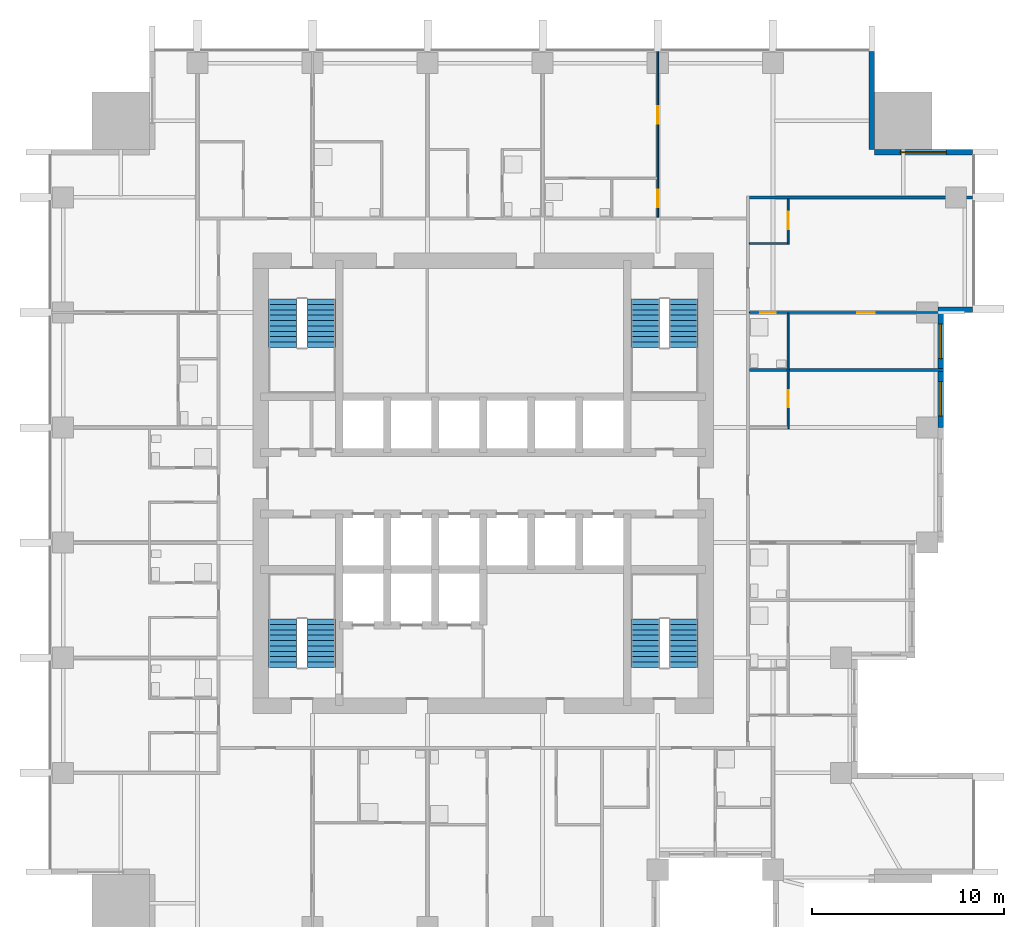
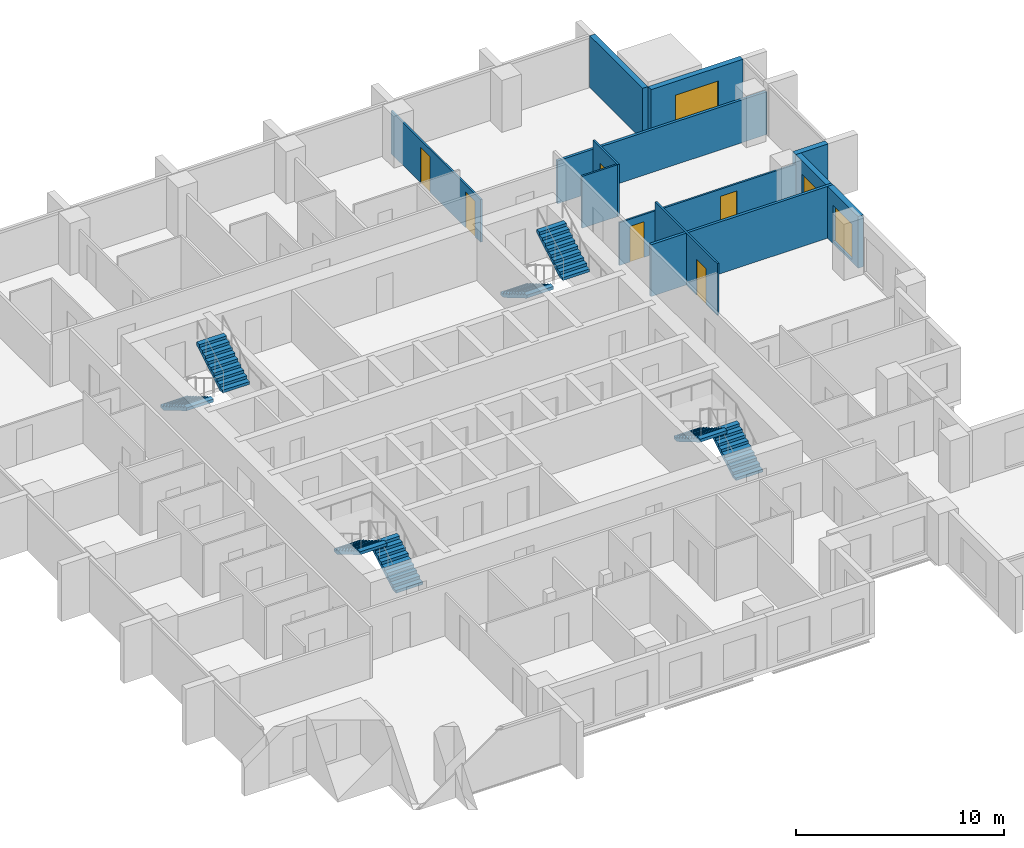
# One storey, part 8 of 10: 11 walls, 8 stair flights, 6 doors, 3 windows, 9 openings, 4 elements without a shape of their own.
"""IFC4 building model written with IfcOpenShell, lengths in metres."""

from ifc_helpers import new_model, si_unit, direction, frame, frame_2d, origin, place, context, subcontext, project, spatial, polyline, rectangle, outline, extrude, material, layer, layer_set, type_object, element, fill, aggregate, save


model = new_model("IFC4")

# Units and contexts
model_context = context("Model", 3, precision=1e-05, world=origin(), true_north=direction((0.0, 1.0)))
body_context = subcontext(model_context, "Body", "Model", "MODEL_VIEW")
ifc_project = project(units=[si_unit("LENGTHUNIT", "METRE"), si_unit("AREAUNIT", "SQUARE_METRE"), si_unit("VOLUMEUNIT", "CUBIC_METRE"), si_unit("PLANEANGLEUNIT", "RADIAN"), si_unit("MASSUNIT", "GRAM", prefix="KILO")], contexts=[model_context])

# Site, building, storey
site_placement = place(None, origin())
site = spatial("IfcSite", under=ifc_project, at=site_placement, CompositionType="ELEMENT")
building_placement = place(site_placement, origin())
building = spatial("IfcBuilding", under=site, at=building_placement, Name="Amberfall Residences", CompositionType="ELEMENT")
storey_placement = place(building_placement, frame((0.0, 0.0, 105.10009765625)))
storey = spatial("IfcBuildingStorey", under=building, at=storey_placement, Name="L28", CompositionType="ELEMENT", Elevation=105.10009765625)

# Wall
ifc_material_1 = material(Name="Pale stone cladding on insulated backing", Category="masonry")
ifc_layer_1 = layer(ifc_material_1, 0.300048828125)
ifc_layer_set_1 = layer_set([ifc_layer_1], Name="Bronze clad wall 300")
wall_type_1 = type_object("IfcWallType", Name="Bronze clad wall 300", PredefinedType="SOLIDWALL", material=ifc_layer_set_1)
wall_1_placement = place(storey_placement, frame((98.199951171875, 54.550048828125, 0.0), z_axis=(0.0, 0.0, 1.0), x_axis=(1.0, 0.0, 0.0)))
element("IfcWall", 1, at=wall_1_placement, inside=storey, type_object=wall_type_1, Name="External wall L28 E", PredefinedType="SOLIDWALL", context=body_context, shape_type="SweptSolid", body=[
    extrude(rectangle(XDim=1.800048828125, YDim=0.300048828125, at=frame_2d((0.89990234375, 0.0))), origin(), (0.0, 0.0, 1.0), 3.0498046875),
])

# Wall, opening, window
wall_2_placement = place(storey_placement, frame((100.0, 62.75, 0.0), z_axis=(0.0, 0.0, 1.0), x_axis=(-1.0, 0.0, 0.0)))
wall_2 = element("IfcWall", 2, at=wall_2_placement, inside=storey, type_object=wall_type_1, Name="External wall L28 NE", PredefinedType="SOLIDWALL", context=body_context, shape_type="SweptSolid", body=[
    extrude(rectangle(XDim=5.10009765625, YDim=0.300048828125, at=frame_2d((2.550048828125, 0.0))), origin(), (0.0, 0.0, 1.0), 3.0498046875),
])
opening_1_placement = place(wall_2_placement, frame((1.35009765625, 0.0, 0.14990234375)))
opening_1 = element("IfcOpeningElement", 3, at=opening_1_placement, cuts=wall_2, Name="Opening WN5", PredefinedType="OPENING", context=body_context, shape_type="SweptSolid", body=[
    extrude(rectangle(XDim=2.39990234375, YDim=2.10009765625, at=frame_2d((1.199951171875, 1.050048828125))), frame((0.0, 0.159912109375, 0.0), z_axis=(0.0, -1.0, 0.0), x_axis=(1.0, 0.0, 0.0)), (0.0, 0.0, 1.0), 0.320068359375),
])
ifc_material_2 = material(Name="Bronze aluminium framed glazing", Category="aluminium")
window_type_1 = type_object("IfcWindowType", Name="Glazed opening 2400 x 2100 bronze", PartitioningType="DOUBLE_PANEL_VERTICAL", PredefinedType="WINDOW", material=ifc_material_2)
window_1_placement = place(opening_1_placement, origin())
window_1 = element("IfcWindow", 4, at=window_1_placement, inside=storey, type_object=window_type_1, Name="Window L28 NE", OverallHeight=2.10009765625, OverallWidth=2.39990234375, PartitioningType="DOUBLE_PANEL_VERTICAL", PredefinedType="WINDOW", context=body_context, shape_type="SweptSolid", body=[
    extrude(rectangle(XDim=2.39990234375, YDim=2.10009765625, at=frame_2d((1.199951171875, 1.050048828125))), frame((0.0, 0.030029296875, 0.0), z_axis=(0.0, -1.0, 0.0), x_axis=(1.0, 0.0, 0.0)), (0.0, 0.0, 1.0), 0.06005859375),
])
fill(opening_1, window_1)

# Wall
wall_3_placement = place(storey_placement, frame((94.75, 62.89990234375, 0.0), z_axis=(0.0, 0.0, 1.0), x_axis=(0.0, 1.0, 0.0)))
element("IfcWall", 5, at=wall_3_placement, inside=storey, type_object=wall_type_1, Name="External wall L28 NE", PredefinedType="SOLIDWALL", context=body_context, shape_type="SweptSolid", body=[
    extrude(rectangle(XDim=5.10009765625, YDim=0.300048828125, at=frame_2d((2.550048828125, 0.0))), origin(), (0.0, 0.0, 1.0), 3.0498046875),
])

# Wall, openings, windows
wall_4_placement = place(storey_placement, frame((98.35009765625, 48.39990234375, 0.0), z_axis=(0.0, 0.0, 1.0), x_axis=(0.0, 1.0, 0.0)))
wall_4 = element("IfcWall", 6, at=wall_4_placement, inside=storey, type_object=wall_type_1, Name="Stone wall L28 E", PredefinedType="SOLIDWALL", context=body_context, shape_type="SweptSolid", body=[
    extrude(rectangle(XDim=6.0, YDim=0.300048828125, at=frame_2d((3.0, 0.0))), origin(), (0.0, 0.0, 1.0), 3.0498046875),
])
opening_2_placement = place(wall_4_placement, frame((0.60009765625, 0.0, 0.14990234375)))
opening_2 = element("IfcOpeningElement", 7, at=opening_2_placement, cuts=wall_4, Name="Opening WN6", PredefinedType="OPENING", context=body_context, shape_type="SweptSolid", body=[
    extrude(rectangle(XDim=1.800048828125, YDim=2.10009765625, at=frame_2d((0.89990234375, 1.050048828125))), frame((0.0, 0.159912109375, 0.0), z_axis=(0.0, -1.0, 0.0), x_axis=(1.0, 0.0, 0.0)), (0.0, 0.0, 1.0), 0.320068359375),
])
opening_3_placement = place(wall_4_placement, frame((3.60009765625, 0.0, 0.14990234375)))
opening_3 = element("IfcOpeningElement", 8, at=opening_3_placement, cuts=wall_4, Name="Opening WN6", PredefinedType="OPENING", context=body_context, shape_type="SweptSolid", body=[
    extrude(rectangle(XDim=1.800048828125, YDim=2.10009765625, at=frame_2d((0.89990234375, 1.050048828125))), frame((0.0, 0.159912109375, 0.0), z_axis=(0.0, -1.0, 0.0), x_axis=(1.0, 0.0, 0.0)), (0.0, 0.0, 1.0), 0.320068359375),
])
window_type_2 = type_object("IfcWindowType", Name="Glazed opening 1800 x 2100 bronze", PartitioningType="DOUBLE_PANEL_VERTICAL", PredefinedType="WINDOW", material=ifc_material_2)
window_2_placement = place(opening_2_placement, origin())
window_2 = element("IfcWindow", 9, at=window_2_placement, inside=storey, type_object=window_type_2, Name="Window L28 E", OverallHeight=2.10009765625, OverallWidth=1.800048828125, PartitioningType="DOUBLE_PANEL_VERTICAL", PredefinedType="WINDOW", context=body_context, shape_type="SweptSolid", body=[
    extrude(rectangle(XDim=1.800048828125, YDim=2.10009765625, at=frame_2d((0.89990234375, 1.050048828125))), frame((0.0, 0.030029296875, 0.0), z_axis=(0.0, -1.0, 0.0), x_axis=(1.0, 0.0, 0.0)), (0.0, 0.0, 1.0), 0.06005859375),
])
fill(opening_2, window_2)
window_3_placement = place(opening_3_placement, origin())
window_3 = element("IfcWindow", 10, at=window_3_placement, inside=storey, type_object=window_type_2, Name="Window L28 E", OverallHeight=2.10009765625, OverallWidth=1.800048828125, PartitioningType="DOUBLE_PANEL_VERTICAL", PredefinedType="WINDOW", context=body_context, shape_type="SweptSolid", body=[
    extrude(rectangle(XDim=1.800048828125, YDim=2.10009765625, at=frame_2d((0.89990234375, 1.050048828125))), frame((0.0, 0.030029296875, 0.0), z_axis=(0.0, -1.0, 0.0), x_axis=(1.0, 0.0, 0.0)), (0.0, 0.0, 1.0), 0.06005859375),
])
fill(opening_3, window_3)

# Wall, openings, doors
ifc_material_3 = material(Name="Gypsum board on metal stud")
ifc_layer_2 = layer(ifc_material_3, 0.10009765625)
ifc_layer_set_2 = layer_set([ifc_layer_2], Name="Flat partition 100")
wall_type_2 = type_object("IfcWallType", Name="Flat partition 100", PredefinedType="PARTITIONING", material=ifc_layer_set_2)
wall_5_placement = place(storey_placement, frame((83.60009765625, 59.375, 0.0), z_axis=(0.0, 0.0, 1.0), x_axis=(0.0, 1.0, 0.0)))
wall_5 = element("IfcWall", 11, at=wall_5_placement, inside=storey, type_object=wall_type_2, Name="Partition 017", PredefinedType="PARTITIONING", context=body_context, shape_type="SweptSolid", body=[
    extrude(rectangle(XDim=8.625, YDim=0.10009765625, at=frame_2d((4.3125, 0.0))), origin(), (0.0, 0.0, 1.0), 2.515869140625),
])
opening_4_placement = place(wall_5_placement, frame((0.52490234375, 0.0, 0.0)))
opening_4 = element("IfcOpeningElement", 12, at=opening_4_placement, cuts=wall_5, Name="Opening D41", PredefinedType="OPENING", context=body_context, shape_type="SweptSolid", body=[
    extrude(rectangle(XDim=0.89990234375, YDim=2.10009765625, at=frame_2d((0.449951171875, 1.050048828125))), frame((0.0, 0.06005859375, 0.0), z_axis=(0.0, -1.0, 0.0), x_axis=(1.0, 0.0, 0.0)), (0.0, 0.0, 1.0), 0.1201171875),
])
opening_5_placement = place(wall_5_placement, frame((4.875, 0.0, 0.0)))
opening_5 = element("IfcOpeningElement", 13, at=opening_5_placement, cuts=wall_5, Name="Opening D41", PredefinedType="OPENING", context=body_context, shape_type="SweptSolid", body=[
    extrude(rectangle(XDim=0.89990234375, YDim=2.10009765625, at=frame_2d((0.449951171875, 1.050048828125))), frame((0.0, 0.06005859375, 0.0), z_axis=(0.0, -1.0, 0.0), x_axis=(1.0, 0.0, 0.0)), (0.0, 0.0, 1.0), 0.1201171875),
])
ifc_material_4 = material(Name="Timber", Category="wood")
door_type_1 = type_object("IfcDoorType", Name="Internal door 900 x 2100", OperationType="SINGLE_SWING_LEFT", PredefinedType="DOOR", material=ifc_material_4)
door_1_placement = place(opening_4_placement, origin())
door_1 = element("IfcDoor", 14, at=door_1_placement, inside=storey, type_object=door_type_1, Name="Door 2809 kitchen", OperationType="SINGLE_SWING_LEFT", OverallHeight=2.10009765625, OverallWidth=0.89990234375, PredefinedType="DOOR", context=body_context, shape_type="SweptSolid", body=[
    extrude(rectangle(XDim=0.89990234375, YDim=2.10009765625, at=frame_2d((0.449951171875, 1.050048828125))), frame((0.0, 0.02490234375, 0.0), z_axis=(0.0, -1.0, 0.0), x_axis=(1.0, 0.0, 0.0)), (0.0, 0.0, 1.0), 0.050048828125),
])
fill(opening_4, door_1)
door_2_placement = place(opening_5_placement, origin())
door_2 = element("IfcDoor", 15, at=door_2_placement, inside=storey, type_object=door_type_1, Name="Door 2809 bedroom1", OperationType="SINGLE_SWING_LEFT", OverallHeight=2.10009765625, OverallWidth=0.89990234375, PredefinedType="DOOR", context=body_context, shape_type="SweptSolid", body=[
    extrude(rectangle(XDim=0.89990234375, YDim=2.10009765625, at=frame_2d((0.449951171875, 1.050048828125))), frame((0.0, 0.02490234375, 0.0), z_axis=(0.0, -1.0, 0.0), x_axis=(1.0, 0.0, 0.0)), (0.0, 0.0, 1.0), 0.050048828125),
])
fill(opening_5, door_2)

# Wall, opening, door
wall_6_placement = place(storey_placement, frame((90.39990234375, 48.35009765625, 0.0), z_axis=(0.0, 0.0, 1.0), x_axis=(0.0, 1.0, 0.0)))
wall_6 = element("IfcWall", 16, at=wall_6_placement, inside=storey, type_object=wall_type_2, Name="Partition 020", PredefinedType="PARTITIONING", context=body_context, shape_type="SweptSolid", body=[
    extrude(rectangle(XDim=6.0, YDim=0.10009765625, at=frame_2d((3.0, 0.0))), origin(), (0.0, 0.0, 1.0), 3.0498046875),
])
opening_6_placement = place(wall_6_placement, frame((1.10009765625, 0.0, 0.0)))
opening_6 = element("IfcOpeningElement", 17, at=opening_6_placement, cuts=wall_6, Name="Opening D41", PredefinedType="OPENING", context=body_context, shape_type="SweptSolid", body=[
    extrude(rectangle(XDim=0.89990234375, YDim=2.10009765625, at=frame_2d((0.449951171875, 1.050048828125))), frame((0.0, 0.06005859375, 0.0), z_axis=(0.0, -1.0, 0.0), x_axis=(1.0, 0.0, 0.0)), (0.0, 0.0, 1.0), 0.1201171875),
])
door_3_placement = place(opening_6_placement, origin())
door_3 = element("IfcDoor", 18, at=door_3_placement, inside=storey, type_object=door_type_1, Name="Door 2805 kitchen", OperationType="SINGLE_SWING_LEFT", OverallHeight=2.10009765625, OverallWidth=0.89990234375, PredefinedType="DOOR", context=body_context, shape_type="SweptSolid", body=[
    extrude(rectangle(XDim=0.89990234375, YDim=2.10009765625, at=frame_2d((0.449951171875, 1.050048828125))), frame((0.0, 0.02490234375, 0.0), z_axis=(0.0, -1.0, 0.0), x_axis=(1.0, 0.0, 0.0)), (0.0, 0.0, 1.0), 0.050048828125),
])
fill(opening_6, door_3)

wall_7_placement = place(storey_placement, frame((90.39990234375, 57.949951171875, 0.0), z_axis=(0.0, 0.0, 1.0), x_axis=(0.0, 1.0, 0.0)))
wall_7 = element("IfcWall", 19, at=wall_7_placement, inside=storey, type_object=wall_type_2, Name="Partition 021", PredefinedType="PARTITIONING", context=body_context, shape_type="SweptSolid", body=[
    extrude(rectangle(XDim=2.375, YDim=0.10009765625, at=frame_2d((1.1875, 0.0))), origin(), (0.0, 0.0, 1.0), 3.0498046875),
])
opening_7_placement = place(wall_7_placement, frame((0.800048828125, 0.0, 0.0)))
opening_7 = element("IfcOpeningElement", 20, at=opening_7_placement, cuts=wall_7, Name="Opening D41", PredefinedType="OPENING", context=body_context, shape_type="SweptSolid", body=[
    extrude(rectangle(XDim=0.89990234375, YDim=2.10009765625, at=frame_2d((0.449951171875, 1.050048828125))), frame((0.0, 0.06005859375, 0.0), z_axis=(0.0, -1.0, 0.0), x_axis=(1.0, 0.0, 0.0)), (0.0, 0.0, 1.0), 0.1201171875),
])
door_4_placement = place(opening_7_placement, origin())
door_4 = element("IfcDoor", 21, at=door_4_placement, inside=storey, type_object=door_type_1, Name="Door 2806 kitchen", OperationType="SINGLE_SWING_LEFT", OverallHeight=2.10009765625, OverallWidth=0.89990234375, PredefinedType="DOOR", context=body_context, shape_type="SweptSolid", body=[
    extrude(rectangle(XDim=0.89990234375, YDim=2.10009765625, at=frame_2d((0.449951171875, 1.050048828125))), frame((0.0, 0.02490234375, 0.0), z_axis=(0.0, -1.0, 0.0), x_axis=(1.0, 0.0, 0.0)), (0.0, 0.0, 1.0), 0.050048828125),
])
fill(opening_7, door_4)

# Wall
wall_8_placement = place(storey_placement, frame((88.375, 58.0, 0.0), z_axis=(0.0, 0.0, 1.0), x_axis=(1.0, 0.0, 0.0)))
element("IfcWall", 22, at=wall_8_placement, inside=storey, type_object=wall_type_2, Name="Partition 027", PredefinedType="PARTITIONING", context=body_context, shape_type="SweptSolid", body=[
    extrude(rectangle(XDim=1.97509765625, YDim=0.10009765625, at=frame_2d((0.987548828125, 0.0))), origin(), (0.0, 0.0, 1.0), 3.0498046875),
])

# Wall, openings, doors
wall_9_placement = place(storey_placement, frame((98.5, 54.39990234375, 0.0), z_axis=(0.0, 0.0, 1.0), x_axis=(-1.0, 0.0, 0.0)))
wall_9 = element("IfcWall", 23, at=wall_9_placement, inside=storey, type_object=wall_type_2, Name="Partition 029", PredefinedType="PARTITIONING", context=body_context, shape_type="SweptSolid", body=[
    extrude(rectangle(XDim=10.125, YDim=0.10009765625, at=frame_2d((5.0625, 0.0))), origin(), (0.0, 0.0, 1.0), 2.515869140625),
])
opening_8_placement = place(wall_9_placement, frame((3.60009765625, 0.0, 0.0)))
opening_8 = element("IfcOpeningElement", 24, at=opening_8_placement, cuts=wall_9, Name="Opening D41", PredefinedType="OPENING", context=body_context, shape_type="SweptSolid", body=[
    extrude(rectangle(XDim=0.89990234375, YDim=2.10009765625, at=frame_2d((0.449951171875, 1.050048828125))), frame((0.0, 0.06005859375, 0.0), z_axis=(0.0, -1.0, 0.0), x_axis=(1.0, 0.0, 0.0)), (0.0, 0.0, 1.0), 0.1201171875),
])
opening_9_placement = place(wall_9_placement, frame((8.75, 0.0, 0.0)))
opening_9 = element("IfcOpeningElement", 25, at=opening_9_placement, cuts=wall_9, Name="Opening D42", PredefinedType="OPENING", context=body_context, shape_type="SweptSolid", body=[
    extrude(rectangle(XDim=0.800048828125, YDim=2.10009765625, at=frame_2d((0.39990234375, 1.050048828125))), frame((0.0, 0.06005859375, 0.0), z_axis=(0.0, -1.0, 0.0), x_axis=(1.0, 0.0, 0.0)), (0.0, 0.0, 1.0), 0.1201171875),
])
door_type_2 = type_object("IfcDoorType", Name="Bathroom door 800 x 2100", OperationType="SINGLE_SWING_LEFT", PredefinedType="DOOR", material=ifc_material_4)
door_5_placement = place(opening_9_placement, origin())
door_5 = element("IfcDoor", 26, at=door_5_placement, inside=storey, type_object=door_type_2, Name="Door 2806 bath1", OperationType="SINGLE_SWING_LEFT", OverallHeight=2.10009765625, OverallWidth=0.800048828125, PredefinedType="DOOR", context=body_context, shape_type="SweptSolid", body=[
    extrude(rectangle(XDim=0.800048828125, YDim=2.10009765625, at=frame_2d((0.39990234375, 1.050048828125))), frame((0.0, 0.02490234375, 0.0), z_axis=(0.0, -1.0, 0.0), x_axis=(1.0, 0.0, 0.0)), (0.0, 0.0, 1.0), 0.050048828125),
])
fill(opening_9, door_5)
door_6_placement = place(opening_8_placement, origin())
door_6 = element("IfcDoor", 27, at=door_6_placement, inside=storey, type_object=door_type_1, Name="Door 2806 bedroom1", OperationType="SINGLE_SWING_LEFT", OverallHeight=2.10009765625, OverallWidth=0.89990234375, PredefinedType="DOOR", context=body_context, shape_type="SweptSolid", body=[
    extrude(rectangle(XDim=0.89990234375, YDim=2.10009765625, at=frame_2d((0.449951171875, 1.050048828125))), frame((0.0, 0.02490234375, 0.0), z_axis=(0.0, -1.0, 0.0), x_axis=(1.0, 0.0, 0.0)), (0.0, 0.0, 1.0), 0.050048828125),
])
fill(opening_8, door_6)

# Walls
ifc_material_5 = material(Name="Blockwork, plastered", Category="masonry")
ifc_layer_3 = layer(ifc_material_5, 0.14990234375)
ifc_layer_set_3 = layer_set([ifc_layer_3], Name="Flat separating wall 150")
wall_type_3 = type_object("IfcWallType", Name="Flat separating wall 150", PredefinedType="PARTITIONING", material=ifc_layer_set_3)
wall_10_placement = place(storey_placement, frame((88.375, 60.39990234375, 0.0), z_axis=(0.0, 0.0, 1.0), x_axis=(1.0, 0.0, 0.0)))
element("IfcWall", 28, at=wall_10_placement, inside=storey, type_object=wall_type_3, Name="Separating wall 054", PredefinedType="PARTITIONING", context=body_context, shape_type="SweptSolid", body=[
    extrude(rectangle(XDim=11.625, YDim=0.14990234375, at=frame_2d((5.8125, 0.0))), origin(), (0.0, 0.0, 1.0), 2.515869140625),
])
wall_11_placement = place(storey_placement, frame((88.375, 51.39990234375, 0.0), z_axis=(0.0, 0.0, 1.0), x_axis=(1.0, 0.0, 0.0)))
element("IfcWall", 29, at=wall_11_placement, inside=storey, type_object=wall_type_3, Name="Separating wall 056", PredefinedType="PARTITIONING", context=body_context, shape_type="SweptSolid", body=[
    extrude(rectangle(XDim=10.125, YDim=0.14990234375, at=frame_2d((5.0625, 0.0))), origin(), (0.0, 0.0, 1.0), 3.0498046875),
])

# Stair, stair flights
ifc_material_6 = material(Name="Concrete C40", Category="concrete")
stair_type = type_object("IfcStairType", Name="Exit stair 20 risers 165.0 mm", PredefinedType="HALF_TURN_STAIR", material=ifc_material_6)
stair_1_placement = place(storey_placement, origin())
stair_1 = element("IfcStair", 30, at=stair_1_placement, inside=storey, type_object=stair_type, Name="L28 Exit stair 1", PredefinedType="HALF_TURN_STAIR")
stair_flight_type = type_object("IfcStairFlightType", Name="Stair flight 10 risers 165.0 mm", PredefinedType="STRAIGHT", material=ifc_material_6)
stair_flight_1_placement = place(storey_placement, frame((66.050048828125, 35.89990234375, 0.0), z_axis=(0.0, 0.0, 1.0), x_axis=(0.0, 1.0, 0.0)))
stair_flight_1 = element("IfcStairFlight", 31, at=stair_flight_1_placement, type_object=stair_flight_type, Name="ST3 flight 1", NumberOfRisers=10, NumberOfTreads=9, PredefinedType="STRAIGHT", RiserHeight=0.165, TreadLength=0.28, context=body_context, shape_type="SweptSolid", body=[
    extrude(outline(polyline([(0.0, 0.0), (0.0, 0.1650390625), (0.280029296875, 0.1650390625), (0.280029296875, 0.330078125), (0.56005859375, 0.330078125), (0.56005859375, 0.4951171875), (0.840087890625, 0.4951171875), (0.840087890625, 0.659912109375), (1.1201171875, 0.659912109375), (1.1201171875, 0.824951171875), (1.39990234375, 0.824951171875), (1.39990234375, 0.989990234375), (1.679931640625, 0.989990234375), (1.679931640625, 1.155029296875), (1.9599609375, 1.155029296875), (1.9599609375, 1.320068359375), (2.239990234375, 1.320068359375), (2.239990234375, 1.485107421875), (2.52001953125, 1.485107421875), (2.52001953125, 1.64990234375), (2.52001953125, 1.31103515625), (0.295166015625, 0.0), (0.0, 0.0)])), frame((0.0, 0.75, 0.0), z_axis=(0.0, -1.0, 0.0), x_axis=(1.0, 0.0, 0.0)), (0.0, 0.0, 1.0), 1.5),
])
stair_flight_2_placement = place(storey_placement, frame((64.050048828125, 38.419921875, 1.64990234375), z_axis=(0.0, 0.0, 1.0), x_axis=(0.0, -1.0, 0.0)))
stair_flight_2 = element("IfcStairFlight", 32, at=stair_flight_2_placement, type_object=stair_flight_type, Name="ST3 flight 2", NumberOfRisers=10, NumberOfTreads=9, PredefinedType="STRAIGHT", RiserHeight=0.165, TreadLength=0.28, context=body_context, shape_type="SweptSolid", body=[
    extrude(outline(polyline([(0.0, 0.0), (0.0, 0.1650390625), (0.280029296875, 0.1650390625), (0.280029296875, 0.330078125), (0.56005859375, 0.330078125), (0.56005859375, 0.4951171875), (0.840087890625, 0.4951171875), (0.840087890625, 0.659912109375), (1.1201171875, 0.659912109375), (1.1201171875, 0.824951171875), (1.39990234375, 0.824951171875), (1.39990234375, 0.989990234375), (1.679931640625, 0.989990234375), (1.679931640625, 1.155029296875), (1.9599609375, 1.155029296875), (1.9599609375, 1.320068359375), (2.239990234375, 1.320068359375), (2.239990234375, 1.485107421875), (2.52001953125, 1.485107421875), (2.52001953125, 1.64990234375), (2.52001953125, 1.31103515625), (0.295166015625, 0.0), (0.0, 0.0)])), frame((0.0, 0.75, 0.0), z_axis=(0.0, -1.0, 0.0), x_axis=(1.0, 0.0, 0.0)), (0.0, 0.0, 1.0), 1.5),
])
aggregate(stair_1, [stair_flight_1, stair_flight_2])

stair_2_placement = place(storey_placement, origin())
stair_2 = element("IfcStair", 33, at=stair_2_placement, inside=storey, type_object=stair_type, Name="L28 Exit stair 2", PredefinedType="HALF_TURN_STAIR")
stair_flight_3_placement = place(storey_placement, frame((84.949951171875, 35.89990234375, 0.0), z_axis=(0.0, 0.0, 1.0), x_axis=(0.0, 1.0, 0.0)))
stair_flight_3 = element("IfcStairFlight", 34, at=stair_flight_3_placement, type_object=stair_flight_type, Name="ST3 flight 1", NumberOfRisers=10, NumberOfTreads=9, PredefinedType="STRAIGHT", RiserHeight=0.165, TreadLength=0.28, context=body_context, shape_type="SweptSolid", body=[
    extrude(outline(polyline([(0.0, 0.0), (0.0, 0.1650390625), (0.280029296875, 0.1650390625), (0.280029296875, 0.330078125), (0.56005859375, 0.330078125), (0.56005859375, 0.4951171875), (0.840087890625, 0.4951171875), (0.840087890625, 0.659912109375), (1.1201171875, 0.659912109375), (1.1201171875, 0.824951171875), (1.39990234375, 0.824951171875), (1.39990234375, 0.989990234375), (1.679931640625, 0.989990234375), (1.679931640625, 1.155029296875), (1.9599609375, 1.155029296875), (1.9599609375, 1.320068359375), (2.239990234375, 1.320068359375), (2.239990234375, 1.485107421875), (2.52001953125, 1.485107421875), (2.52001953125, 1.64990234375), (2.52001953125, 1.31103515625), (0.295166015625, 0.0), (0.0, 0.0)])), frame((0.0, 0.75, 0.0), z_axis=(0.0, -1.0, 0.0), x_axis=(1.0, 0.0, 0.0)), (0.0, 0.0, 1.0), 1.5),
])
stair_flight_4_placement = place(storey_placement, frame((82.949951171875, 38.419921875, 1.64990234375), z_axis=(0.0, 0.0, 1.0), x_axis=(0.0, -1.0, 0.0)))
stair_flight_4 = element("IfcStairFlight", 35, at=stair_flight_4_placement, type_object=stair_flight_type, Name="ST3 flight 2", NumberOfRisers=10, NumberOfTreads=9, PredefinedType="STRAIGHT", RiserHeight=0.165, TreadLength=0.28, context=body_context, shape_type="SweptSolid", body=[
    extrude(outline(polyline([(0.0, 0.0), (0.0, 0.1650390625), (0.280029296875, 0.1650390625), (0.280029296875, 0.330078125), (0.56005859375, 0.330078125), (0.56005859375, 0.4951171875), (0.840087890625, 0.4951171875), (0.840087890625, 0.659912109375), (1.1201171875, 0.659912109375), (1.1201171875, 0.824951171875), (1.39990234375, 0.824951171875), (1.39990234375, 0.989990234375), (1.679931640625, 0.989990234375), (1.679931640625, 1.155029296875), (1.9599609375, 1.155029296875), (1.9599609375, 1.320068359375), (2.239990234375, 1.320068359375), (2.239990234375, 1.485107421875), (2.52001953125, 1.485107421875), (2.52001953125, 1.64990234375), (2.52001953125, 1.31103515625), (0.295166015625, 0.0), (0.0, 0.0)])), frame((0.0, 0.75, 0.0), z_axis=(0.0, -1.0, 0.0), x_axis=(1.0, 0.0, 0.0)), (0.0, 0.0, 1.0), 1.5),
])
aggregate(stair_2, [stair_flight_3, stair_flight_4])

stair_3_placement = place(storey_placement, origin())
stair_3 = element("IfcStair", 36, at=stair_3_placement, inside=storey, type_object=stair_type, Name="L28 Exit stair 3", PredefinedType="HALF_TURN_STAIR")
stair_flight_5_placement = place(storey_placement, frame((82.949951171875, 55.10009765625, 0.0), z_axis=(0.0, 0.0, 1.0), x_axis=(0.0, -1.0, 0.0)))
stair_flight_5 = element("IfcStairFlight", 37, at=stair_flight_5_placement, type_object=stair_flight_type, Name="ST3 flight 1", NumberOfRisers=10, NumberOfTreads=9, PredefinedType="STRAIGHT", RiserHeight=0.165, TreadLength=0.28, context=body_context, shape_type="SweptSolid", body=[
    extrude(outline(polyline([(0.0, 0.0), (0.0, 0.1650390625), (0.280029296875, 0.1650390625), (0.280029296875, 0.330078125), (0.56005859375, 0.330078125), (0.56005859375, 0.4951171875), (0.840087890625, 0.4951171875), (0.840087890625, 0.659912109375), (1.1201171875, 0.659912109375), (1.1201171875, 0.824951171875), (1.39990234375, 0.824951171875), (1.39990234375, 0.989990234375), (1.679931640625, 0.989990234375), (1.679931640625, 1.155029296875), (1.9599609375, 1.155029296875), (1.9599609375, 1.320068359375), (2.239990234375, 1.320068359375), (2.239990234375, 1.485107421875), (2.52001953125, 1.485107421875), (2.52001953125, 1.64990234375), (2.52001953125, 1.31103515625), (0.295166015625, 0.0), (0.0, 0.0)])), frame((0.0, 0.75, 0.0), z_axis=(0.0, -1.0, 0.0), x_axis=(1.0, 0.0, 0.0)), (0.0, 0.0, 1.0), 1.5),
])
stair_flight_6_placement = place(storey_placement, frame((84.949951171875, 52.580078125, 1.64990234375), z_axis=(0.0, 0.0, 1.0), x_axis=(0.0, 1.0, 0.0)))
stair_flight_6 = element("IfcStairFlight", 38, at=stair_flight_6_placement, type_object=stair_flight_type, Name="ST3 flight 2", NumberOfRisers=10, NumberOfTreads=9, PredefinedType="STRAIGHT", RiserHeight=0.165, TreadLength=0.28, context=body_context, shape_type="SweptSolid", body=[
    extrude(outline(polyline([(0.0, 0.0), (0.0, 0.1650390625), (0.280029296875, 0.1650390625), (0.280029296875, 0.330078125), (0.56005859375, 0.330078125), (0.56005859375, 0.4951171875), (0.840087890625, 0.4951171875), (0.840087890625, 0.659912109375), (1.1201171875, 0.659912109375), (1.1201171875, 0.824951171875), (1.39990234375, 0.824951171875), (1.39990234375, 0.989990234375), (1.679931640625, 0.989990234375), (1.679931640625, 1.155029296875), (1.9599609375, 1.155029296875), (1.9599609375, 1.320068359375), (2.239990234375, 1.320068359375), (2.239990234375, 1.485107421875), (2.52001953125, 1.485107421875), (2.52001953125, 1.64990234375), (2.52001953125, 1.31103515625), (0.295166015625, 0.0), (0.0, 0.0)])), frame((0.0, 0.75, 0.0), z_axis=(0.0, -1.0, 0.0), x_axis=(1.0, 0.0, 0.0)), (0.0, 0.0, 1.0), 1.5),
])
aggregate(stair_3, [stair_flight_5, stair_flight_6])

stair_4_placement = place(storey_placement, origin())
stair_4 = element("IfcStair", 39, at=stair_4_placement, inside=storey, type_object=stair_type, Name="L28 Exit stair 4", PredefinedType="HALF_TURN_STAIR")
stair_flight_7_placement = place(storey_placement, frame((64.050048828125, 55.10009765625, 0.0), z_axis=(0.0, 0.0, 1.0), x_axis=(0.0, -1.0, 0.0)))
stair_flight_7 = element("IfcStairFlight", 40, at=stair_flight_7_placement, type_object=stair_flight_type, Name="ST3 flight 1", NumberOfRisers=10, NumberOfTreads=9, PredefinedType="STRAIGHT", RiserHeight=0.165, TreadLength=0.28, context=body_context, shape_type="SweptSolid", body=[
    extrude(outline(polyline([(0.0, 0.0), (0.0, 0.1650390625), (0.280029296875, 0.1650390625), (0.280029296875, 0.330078125), (0.56005859375, 0.330078125), (0.56005859375, 0.4951171875), (0.840087890625, 0.4951171875), (0.840087890625, 0.659912109375), (1.1201171875, 0.659912109375), (1.1201171875, 0.824951171875), (1.39990234375, 0.824951171875), (1.39990234375, 0.989990234375), (1.679931640625, 0.989990234375), (1.679931640625, 1.155029296875), (1.9599609375, 1.155029296875), (1.9599609375, 1.320068359375), (2.239990234375, 1.320068359375), (2.239990234375, 1.485107421875), (2.52001953125, 1.485107421875), (2.52001953125, 1.64990234375), (2.52001953125, 1.31103515625), (0.295166015625, 0.0), (0.0, 0.0)])), frame((0.0, 0.75, 0.0), z_axis=(0.0, -1.0, 0.0), x_axis=(1.0, 0.0, 0.0)), (0.0, 0.0, 1.0), 1.5),
])
stair_flight_8_placement = place(storey_placement, frame((66.050048828125, 52.580078125, 1.64990234375), z_axis=(0.0, 0.0, 1.0), x_axis=(0.0, 1.0, 0.0)))
stair_flight_8 = element("IfcStairFlight", 41, at=stair_flight_8_placement, type_object=stair_flight_type, Name="ST3 flight 2", NumberOfRisers=10, NumberOfTreads=9, PredefinedType="STRAIGHT", RiserHeight=0.165, TreadLength=0.28, context=body_context, shape_type="SweptSolid", body=[
    extrude(outline(polyline([(0.0, 0.0), (0.0, 0.1650390625), (0.280029296875, 0.1650390625), (0.280029296875, 0.330078125), (0.56005859375, 0.330078125), (0.56005859375, 0.4951171875), (0.840087890625, 0.4951171875), (0.840087890625, 0.659912109375), (1.1201171875, 0.659912109375), (1.1201171875, 0.824951171875), (1.39990234375, 0.824951171875), (1.39990234375, 0.989990234375), (1.679931640625, 0.989990234375), (1.679931640625, 1.155029296875), (1.9599609375, 1.155029296875), (1.9599609375, 1.320068359375), (2.239990234375, 1.320068359375), (2.239990234375, 1.485107421875), (2.52001953125, 1.485107421875), (2.52001953125, 1.64990234375), (2.52001953125, 1.31103515625), (0.295166015625, 0.0), (0.0, 0.0)])), frame((0.0, 0.75, 0.0), z_axis=(0.0, -1.0, 0.0), x_axis=(1.0, 0.0, 0.0)), (0.0, 0.0, 1.0), 1.5),
])
aggregate(stair_4, [stair_flight_7, stair_flight_8])

save(model, "model.ifc")
